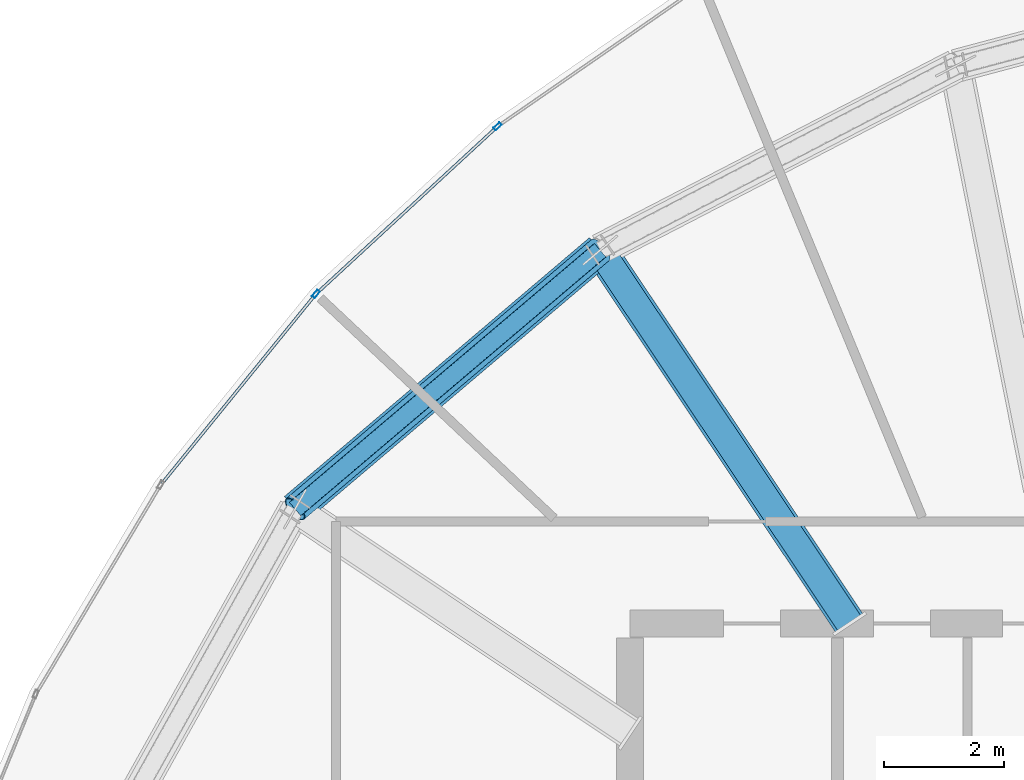
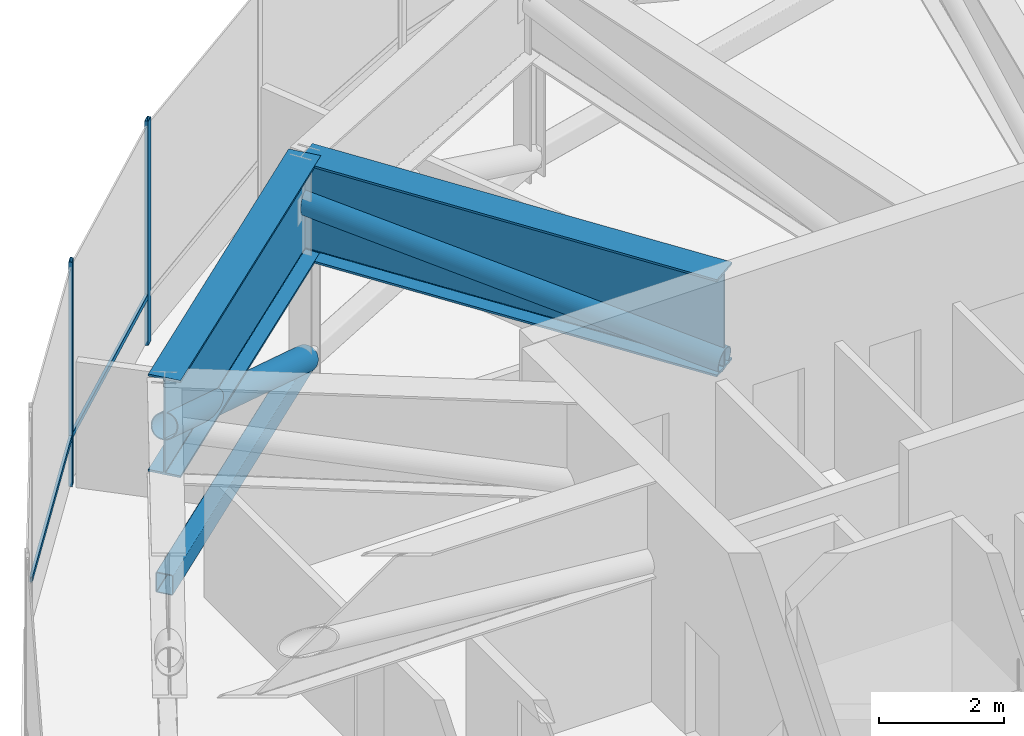
# One storey, part 15 of 26: 7 members, 2 beams, 1 element without a shape of its own.
"""IFC4 building model written with IfcOpenShell, lengths in metres."""

from ifc_helpers import new_model, si_unit, direction, frame, origin, origin_2d, place, context, subcontext, project, spatial, hollow_rectangle, hollow_circle, i_section, extrude, source, transform, mapped, material, layer, layer_set, material_profile, profile_set, type_object, element, aggregate, save


model = new_model("IFC4")

# Units and contexts
model_context = context("Model", 3, precision=1e-05, world=origin(), true_north=direction((0.0, 1.0)))
body_context = subcontext(model_context, "Body", "Model", "MODEL_VIEW")
ifc_project = project(units=[si_unit("LENGTHUNIT", "METRE"), si_unit("AREAUNIT", "SQUARE_METRE"), si_unit("VOLUMEUNIT", "CUBIC_METRE"), si_unit("PLANEANGLEUNIT", "RADIAN"), si_unit("MASSUNIT", "GRAM", prefix="KILO"), si_unit("THERMODYNAMICTEMPERATUREUNIT", "KELVIN")], contexts=[model_context])

# Site, building, storey
site_placement = place(None, origin())
site = spatial("IfcSite", under=ifc_project, at=site_placement, CompositionType="ELEMENT")
building_placement = place(site_placement, origin())
building = spatial("IfcBuilding", under=site, at=building_placement, Name="Kethvar Cultural Tower", CompositionType="ELEMENT")
storey_placement = place(building_placement, frame((0.0, 0.0, 223.60009765625)))
storey = spatial("IfcBuildingStorey", under=building, at=storey_placement, Name="L58", CompositionType="ELEMENT", Elevation=223.60009765625)

# Beam
ifc_material_1 = material(Name="Steel S460M", Category="steel")
ifc_material_profile_1 = material_profile(ifc_material_1, i_section(OverallWidth=0.550048828125, OverallDepth=1.89990234375, WebThickness=0.02490234375, FlangeThickness=0.0400390625, FilletRadius=0.02001953125, at=origin_2d()), Name="Steel S460M — PG1900x550x40x25")
ifc_profile_set_1 = profile_set([ifc_material_profile_1], Name="Steel S460M — PG1900x550x40x25")
beam_type = type_object("IfcBeamType", Name="BM-TR1900", PredefinedType="BEAM", material=ifc_profile_set_1)
shared_shape_1 = source(origin(), body_context, "Body", "SweptSolid", [
    extrude(i_section(OverallWidth=0.550048828125, OverallDepth=1.89990234375, WebThickness=0.02490234375, FlangeThickness=0.0400390625, FilletRadius=0.02001953125, at=origin_2d()), origin(), (0.0, 0.0, 1.0), 7.481201171875),
])
beam_1_placement = place(storey_placement, frame((41.655029296875, 35.5, 3.427978515625), z_axis=(-0.55555842186, 0.831477504146, 0.0), x_axis=(-0.831477504146, -0.55555842186, 0.0)))
element("IfcBeam", 1, at=beam_1_placement, inside=storey, type_object=beam_type, Name="L58 Outrigger Transfer Girder OG-06", PredefinedType="BEAM", context=body_context, shape_type="MappedRepresentation", body=[
    mapped(shared_shape_1, transform((0.0, 0.0, 0.0), scale=1.0)),
])

# Member
ifc_material_2 = material(Name="Steel S355J2", Category="steel")
ifc_material_profile_2 = material_profile(ifc_material_2, hollow_circle(Radius=0.228515625, WallThickness=0.01611328125, at=origin_2d()), Name="Steel S355J2 — CHS457x16")
ifc_profile_set_2 = profile_set([ifc_material_profile_2], Name="Steel S355J2 — CHS457x16")
member_type_1 = type_object("IfcMemberType", Name="MB-OUT-457", PredefinedType="BRACE", material=ifc_profile_set_2)
shared_shape_2 = source(origin(), body_context, "Body", "SweptSolid", [
    extrude(hollow_circle(Radius=0.228515625, WallThickness=0.01611328125, at=origin_2d()), origin(), (0.0, 0.0, 1.0), 7.521484375),
])
member_1_placement = place(storey_placement, frame((41.655029296875, 35.5, 2.64990234375), z_axis=(-0.552577887076, 0.827016681438, 0.103446060039), x_axis=(-0.831477504146, -0.55555842186, 0.0)))
element("IfcMember", 2, at=member_1_placement, inside=storey, type_object=member_type_1, Name="L58 Outrigger Truss Diagonal OB-06", PredefinedType="BRACE", context=body_context, shape_type="MappedRepresentation", body=[
    mapped(shared_shape_2, transform((0.0, 0.0, 0.0), scale=1.0)),
])

# Beam
shared_shape_3 = source(origin(), body_context, "Body", "SweptSolid", [
    extrude(i_section(OverallWidth=0.550048828125, OverallDepth=1.89990234375, WebThickness=0.02490234375, FlangeThickness=0.0400390625, FilletRadius=0.02001953125, at=origin_2d()), origin(), (0.0, 0.0, 1.0), 6.6630859375),
])
beam_2_placement = place(storey_placement, frame((37.498779296875, 41.720458984375, 3.427978515625), z_axis=(-0.762490511547, -0.646999397064, 0.0), x_axis=(0.646999397064, -0.762490511547, 0.0)))
element("IfcBeam", 3, at=beam_2_placement, inside=storey, type_object=beam_type, Name="L58 Ring Belt Girder BG-06", PredefinedType="BEAM", context=body_context, shape_type="MappedRepresentation", body=[
    mapped(shared_shape_3, transform((0.0, 0.0, 0.0), scale=1.0)),
])

# Members
ifc_material_profile_3 = material_profile(ifc_material_1, hollow_rectangle(XDim=0.300048828125, YDim=0.39990234375, WallThickness=0.01611328125, InnerFilletRadius=0.01611328125, OuterFilletRadius=0.031982421875, at=origin_2d()), Name="Steel S460M — RHS400x300x16")
ifc_profile_set_3 = profile_set([ifc_material_profile_3], Name="Steel S460M — RHS400x300x16")
member_type_2 = type_object("IfcMemberType", Name="MB-CHD-400", PredefinedType="CHORD", material=ifc_profile_set_3)
shared_shape_4 = source(origin(), body_context, "Body", "SweptSolid", [
    extrude(hollow_rectangle(XDim=0.300048828125, YDim=0.39990234375, WallThickness=0.01611328125, InnerFilletRadius=0.01611328125, OuterFilletRadius=0.031982421875, at=origin_2d()), origin(), (0.0, 0.0, 1.0), 6.6630859375),
])
member_2_placement = place(storey_placement, frame((37.498779296875, 41.720458984375, 0.349853515625), z_axis=(-0.762490511547, -0.646999397064, 0.0), x_axis=(0.646999397064, -0.762490511547, 0.0)))
element("IfcMember", 4, at=member_2_placement, inside=storey, type_object=member_type_2, Name="L58 Ring Belt Bottom Chord BC-06", PredefinedType="CHORD", context=body_context, shape_type="MappedRepresentation", body=[
    mapped(shared_shape_4, transform((0.0, 0.0, 0.0), scale=1.0)),
])
shared_shape_5 = source(origin(), body_context, "Body", "SweptSolid", [
    extrude(hollow_circle(Radius=0.228515625, WallThickness=0.01611328125, at=origin_2d()), origin(), (0.0, 0.0, 1.0), 7.33984375),
])
member_3_placement = place(storey_placement, frame((37.498779296875, 41.720458984375, 0.349853515625), z_axis=(-0.69219817694, -0.587353936012, 0.419376963713), x_axis=(0.646999397064, -0.762490511547, 0.0)))
element("IfcMember", 5, at=member_3_placement, inside=storey, type_object=member_type_1, Name="L58 Ring Belt Diagonal BD-06", PredefinedType="BRACE", context=body_context, shape_type="MappedRepresentation", body=[
    mapped(shared_shape_5, transform((0.0, 0.0, 0.0), scale=1.0)),
])

# Curtain wall, members
ifc_material_3 = material(Name="Aluminium 6063-T6", Category="aluminium")
ifc_layer = layer(ifc_material_3, 0.179931640625, Name="Aluminium 6063-T6", Category="aluminium")
ifc_layer_set = layer_set([ifc_layer], Name="Aluminium 6063-T6 (180 mm)")
curtain_wall_type = type_object("IfcCurtainWallType", Name="CW-SYS-04-Z34", PredefinedType="NOTDEFINED", material=ifc_layer_set)
curtain_wall_placement = place(storey_placement, origin())
curtain_wall = element("IfcCurtainWall", 6, at=curtain_wall_placement, inside=storey, type_object=curtain_wall_type, Name="L58 Curtain Wall Run 02", PredefinedType="NOTDEFINED")
ifc_material_profile_4 = material_profile(ifc_material_3, hollow_rectangle(XDim=0.06005859375, YDim=0.139892578125, WallThickness=0.0048828125, at=origin_2d()), Name="Aluminium 6063-T6 — RHS140x60x5")
ifc_profile_set_4 = profile_set([ifc_material_profile_4], Name="Aluminium 6063-T6 — RHS140x60x5")
member_type_3 = type_object("IfcMemberType", Name="CW-SYS-04-Z34-MUL", PredefinedType="MULLION", material=ifc_profile_set_4)
shared_shape_6 = source(origin(), body_context, "Body", "SweptSolid", [
    extrude(hollow_rectangle(XDim=0.06005859375, YDim=0.139892578125, WallThickness=0.0048828125, at=origin_2d()), origin(), (0.0, 0.0, 1.0), 4.3798828125),
])
member_4_placement = place(storey_placement, frame((35.791015625, 43.783935546875, 0.0), z_axis=(0.0, 0.0, 1.0), x_axis=(0.678390516628, -0.734701508743, 0.0)))
member_4 = element("IfcMember", 7, at=member_4_placement, type_object=member_type_3, Name="CW-L58-R02 Mullion 3", PredefinedType="MULLION", context=body_context, shape_type="MappedRepresentation", body=[
    mapped(shared_shape_6, transform((0.0, 0.0, 0.0), scale=1.0)),
])
member_5_placement = place(storey_placement, frame((32.7646484375, 40.990966796875, 0.0), z_axis=(0.0, 0.0, 1.0), x_axis=(0.776068421332, -0.630648717917, 0.0)))
member_5 = element("IfcMember", 8, at=member_5_placement, type_object=member_type_3, Name="CW-L58-R02 Mullion 4", PredefinedType="MULLION", context=body_context, shape_type="MappedRepresentation", body=[
    mapped(shared_shape_6, transform((0.0, 0.0, 0.0), scale=1.0)),
])
ifc_material_profile_5 = material_profile(ifc_material_3, hollow_rectangle(XDim=0.050048828125, YDim=0.10009765625, WallThickness=0.00390625, at=origin_2d()), Name="Aluminium 6063-T6 — RHS100x50x4")
ifc_profile_set_5 = profile_set([ifc_material_profile_5], Name="Aluminium 6063-T6 — RHS100x50x4")
member_type_4 = type_object("IfcMemberType", Name="CW-SYS-04-Z34-TRN", PredefinedType="USERDEFINED", material=ifc_profile_set_5)
shared_shape_7 = source(origin(), body_context, "Body", "SweptSolid", [
    extrude(hollow_rectangle(XDim=0.050048828125, YDim=0.10009765625, WallThickness=0.00390625, at=origin_2d()), origin(), (0.0, 0.0, 1.0), 4.047607421875),
])
member_6_placement = place(storey_placement, frame((35.75927734375, 43.754638671875, 0.949951171875), z_axis=(-0.734685493482, -0.678407860853, 0.0), x_axis=(0.678407860853, -0.734685493482, 0.0)))
member_6 = element("IfcMember", 9, at=member_6_placement, type_object=member_type_4, Name="CW-L58-R02 Transom 3", ObjectType="TRANSOM", PredefinedType="USERDEFINED", context=body_context, shape_type="MappedRepresentation", body=[
    mapped(shared_shape_7, transform((0.0, 0.0, 0.0), scale=1.0)),
])
shared_shape_8 = source(origin(), body_context, "Body", "SweptSolid", [
    extrude(hollow_rectangle(XDim=0.050048828125, YDim=0.10009765625, WallThickness=0.00390625, at=origin_2d()), origin(), (0.0, 0.0, 1.0), 4.02734375),
])
member_7_placement = place(storey_placement, frame((32.7373046875, 40.95751953125, 0.949951171875), z_axis=(-0.630642832431, -0.776073203959, 0.0), x_axis=(0.776073203959, -0.630642832431, 0.0)))
member_7 = element("IfcMember", 10, at=member_7_placement, type_object=member_type_4, Name="CW-L58-R02 Transom 4", ObjectType="TRANSOM", PredefinedType="USERDEFINED", context=body_context, shape_type="MappedRepresentation", body=[
    mapped(shared_shape_8, transform((0.0, 0.0, 0.0), scale=1.0)),
])
aggregate(curtain_wall, [member_4, member_5, member_6, member_7])

save(model, "model.ifc")
